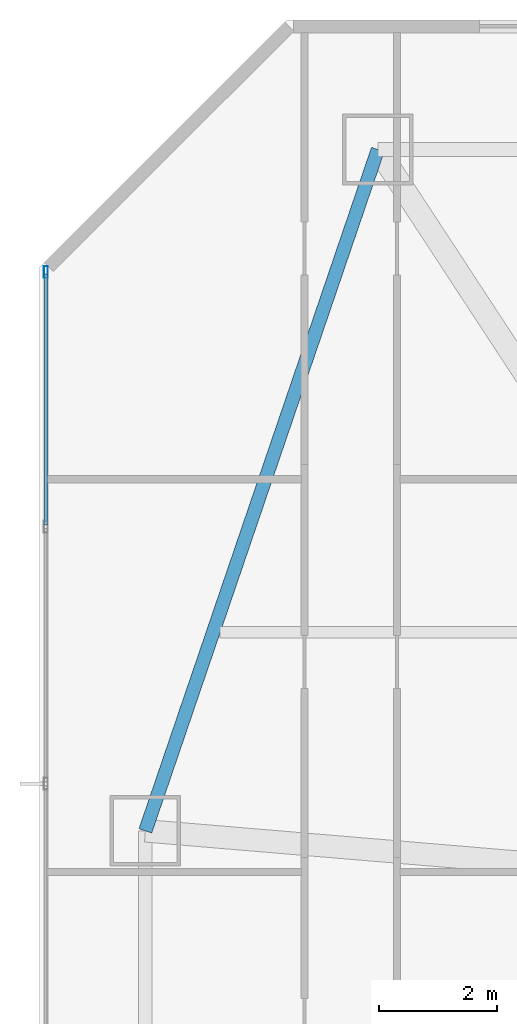
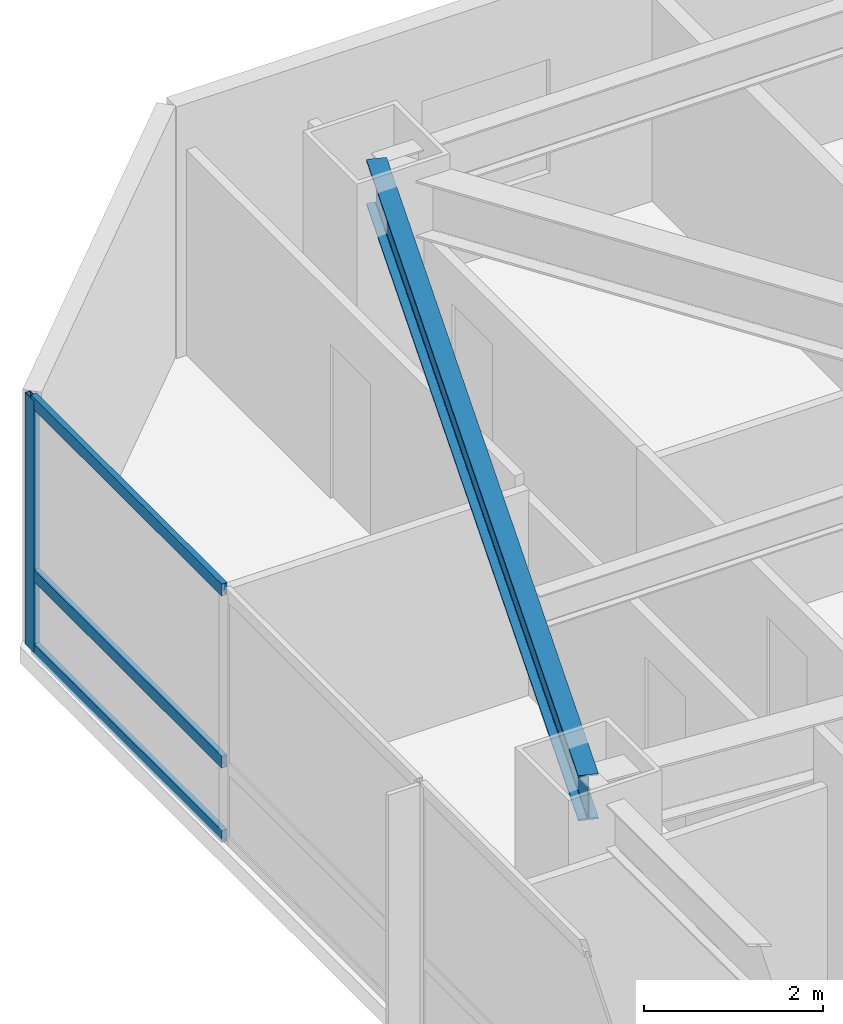
# One storey, part 11 of 25: 4 members, 1 beam, 1 element without a shape of its own.
"""IFC4 building model written with IfcOpenShell, lengths in metres."""

from ifc_helpers import new_model, si_unit, direction, frame, origin, origin_2d, place, context, subcontext, project, spatial, hollow_rectangle, i_section, extrude, material, material_profile, profile_set, type_object, element, aggregate, save


model = new_model("IFC4")

# Units and contexts
model_context = context("Model", 3, precision=1e-05, world=origin(), true_north=direction((0.0, 1.0)))
body_context = subcontext(model_context, "Body", "Model", "MODEL_VIEW")
ifc_project = project(units=[si_unit("LENGTHUNIT", "METRE"), si_unit("AREAUNIT", "SQUARE_METRE"), si_unit("VOLUMEUNIT", "CUBIC_METRE"), si_unit("PLANEANGLEUNIT", "RADIAN"), si_unit("MASSUNIT", "GRAM", prefix="KILO")], contexts=[model_context])

# Site, building, storey
site_placement = place(None, origin())
site = spatial("IfcSite", under=ifc_project, at=site_placement, CompositionType="ELEMENT")
building_placement = place(site_placement, origin())
building = spatial("IfcBuilding", under=site, at=building_placement, Name="Khamvora Tower", CompositionType="ELEMENT")
storey_placement = place(building_placement, frame((0.0, 0.0, 36.949951171875)))
storey = spatial("IfcBuildingStorey", under=building, at=storey_placement, Name="L08", CompositionType="ELEMENT", Elevation=36.949951171875)

# Beam
ifc_material_1 = material(Name="Steel S355", Category="steel")
ifc_material_profile_1 = material_profile(ifc_material_1, i_section(OverallWidth=0.22998046875, OverallDepth=0.616943359375, WebThickness=0.012939453125, FlangeThickness=0.02197265625, FilletRadius=0.013916015625, at=origin_2d()), Name="W610x140")
ifc_profile_set_1 = profile_set([ifc_material_profile_1], Name="Steel S355")
beam_type = type_object("IfcBeamType", Name="BM-SP-W610x140", PredefinedType="SPANDREL", material=ifc_profile_set_1)
beam_placement = place(storey_placement, frame((9.75, 50.800048828125, 3.1220703125), z_axis=(-0.322962893199, -0.946411628002, 0.0), x_axis=(0.946411628002, -0.322962893199, 0.0)))
element("IfcBeam", 1, at=beam_placement, inside=storey, type_object=beam_type, Name="L08 perimeter spandrel beam N1-W2", PredefinedType="SPANDREL", context=body_context, shape_type="SweptSolid", body=[
    extrude(i_section(OverallWidth=0.22998046875, OverallDepth=0.616943359375, WebThickness=0.012939453125, FlangeThickness=0.02197265625, FilletRadius=0.013916015625, at=origin_2d()), origin(), (0.0, 0.0, 1.0), 12.23046875),
])

# Curtain wall, members
ifc_material_2 = material(Name="Anodised Aluminium 6063-T6", Category="aluminium")
curtain_wall_type = type_object("IfcCurtainWallType", Name="CW-SYS-02", PredefinedType="NOTDEFINED", material=ifc_material_2)
curtain_wall_placement = place(storey_placement, origin())
curtain_wall = element("IfcCurtainWall", 2, at=curtain_wall_placement, inside=storey, type_object=curtain_wall_type, Name="L08 stick curtain wall 05.1", PredefinedType="NOTDEFINED")
ifc_material_profile_2 = material_profile(ifc_material_2, hollow_rectangle(XDim=0.070068359375, YDim=0.199951171875, WallThickness=0.0048828125, at=origin_2d()), Name="MUL70x200x5")
ifc_profile_set_2 = profile_set([ifc_material_profile_2], Name="Anodised Aluminium 6063-T6")
member_type_1 = type_object("IfcMemberType", Name="CW-SYS-02-MUL", PredefinedType="MULLION", material=ifc_profile_set_2)
member_1_placement = place(storey_placement, frame((4.110107421875, 48.718994140625, 0.0), z_axis=(0.0, 0.0, 1.0), x_axis=(-1.0, 0.0, 0.0)))
member_1 = element("IfcMember", 3, at=member_1_placement, type_object=member_type_1, Name="CW-02 mullion 5", PredefinedType="MULLION", context=body_context, shape_type="SweptSolid", body=[
    extrude(hollow_rectangle(XDim=0.070068359375, YDim=0.199951171875, WallThickness=0.0048828125, at=origin_2d()), origin(), (0.0, 0.0, 1.0), 3.429931640625),
])
ifc_material_profile_3 = material_profile(ifc_material_2, hollow_rectangle(XDim=0.070068359375, YDim=0.1650390625, WallThickness=0.0048828125, at=origin_2d()), Name="TRN70x165x5")
ifc_profile_set_3 = profile_set([ifc_material_profile_3], Name="Anodised Aluminium 6063-T6")
member_type_2 = type_object("IfcMemberType", Name="CW-SYS-02-TRN", PredefinedType="USERDEFINED", material=ifc_profile_set_3)
member_2_placement = place(storey_placement, frame((4.110107421875, 44.42431640625, 0.03515625), z_axis=(0.0, 1.0, 0.0), x_axis=(-1.0, 0.0, 0.0)))
member_2 = element("IfcMember", 4, at=member_2_placement, type_object=member_type_2, Name="CW-02 transom 4.1", ObjectType="TRANSOM", PredefinedType="USERDEFINED", context=body_context, shape_type="SweptSolid", body=[
    extrude(hollow_rectangle(XDim=0.070068359375, YDim=0.1650390625, WallThickness=0.0048828125, at=origin_2d()), origin(), (0.0, 0.0, 1.0), 4.259765625),
])
member_3_placement = place(storey_placement, frame((4.110107421875, 44.42431640625, 1.050048828125), z_axis=(0.0, 1.0, 0.0), x_axis=(-1.0, 0.0, 0.0)))
member_3 = element("IfcMember", 5, at=member_3_placement, type_object=member_type_2, Name="CW-02 transom 4.2", ObjectType="TRANSOM", PredefinedType="USERDEFINED", context=body_context, shape_type="SweptSolid", body=[
    extrude(hollow_rectangle(XDim=0.070068359375, YDim=0.1650390625, WallThickness=0.0048828125, at=origin_2d()), origin(), (0.0, 0.0, 1.0), 4.259765625),
])
member_4_placement = place(storey_placement, frame((4.110107421875, 44.42431640625, 3.39501953125), z_axis=(0.0, 1.0, 0.0), x_axis=(-1.0, 0.0, 0.0)))
member_4 = element("IfcMember", 6, at=member_4_placement, type_object=member_type_2, Name="CW-02 transom 4.3", ObjectType="TRANSOM", PredefinedType="USERDEFINED", context=body_context, shape_type="SweptSolid", body=[
    extrude(hollow_rectangle(XDim=0.070068359375, YDim=0.1650390625, WallThickness=0.0048828125, at=origin_2d()), origin(), (0.0, 0.0, 1.0), 4.259765625),
])
aggregate(curtain_wall, [member_1, member_2, member_3, member_4])

save(model, "model.ifc")
